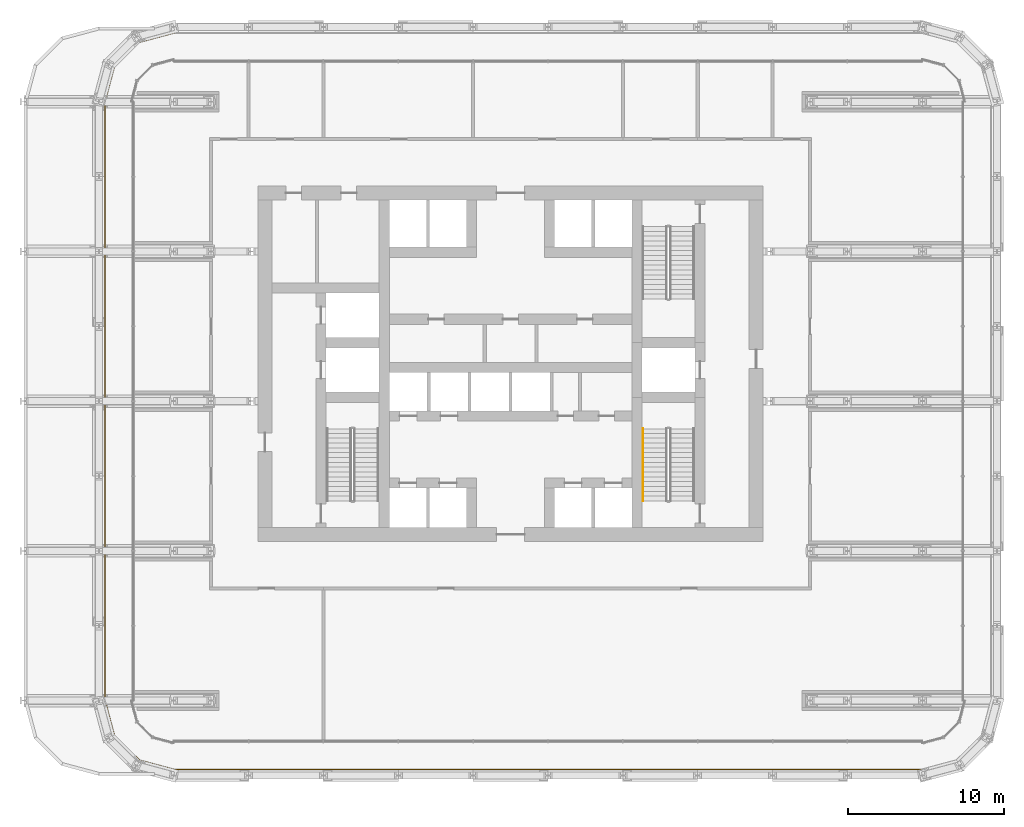
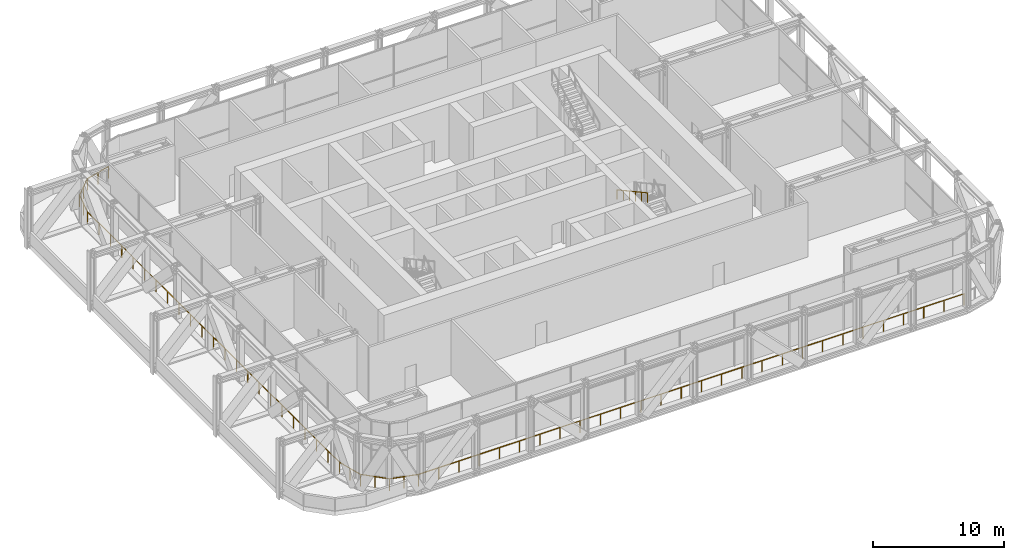
# One storey, part 25 of 30: 2 railings.
"""IFC4 building model written with IfcOpenShell, lengths in metres."""

from ifc_helpers import new_model, si_unit, direction, frame, origin, origin_2d, place, context, subcontext, project, spatial, circle, extrude, material, type_object, element, save


model = new_model("IFC4")

# Units and contexts
model_context = context("Model", 3, precision=1e-05, world=origin(), true_north=direction((0.0, 1.0)))
body_context = subcontext(model_context, "Body", "Model", "MODEL_VIEW")
ifc_project = project(units=[si_unit("LENGTHUNIT", "METRE"), si_unit("AREAUNIT", "SQUARE_METRE"), si_unit("VOLUMEUNIT", "CUBIC_METRE"), si_unit("PLANEANGLEUNIT", "RADIAN"), si_unit("MASSUNIT", "GRAM", prefix="KILO")], contexts=[model_context])

# Site, building, storey
site_placement = place(None, origin())
site = spatial("IfcSite", under=ifc_project, at=site_placement, CompositionType="ELEMENT")
building_placement = place(site_placement, origin())
building = spatial("IfcBuilding", under=site, at=building_placement, Name="Madar Terraces", CompositionType="ELEMENT")
storey_placement = place(building_placement, frame((0.0, 0.0, 53.89990234375)))
storey = spatial("IfcBuildingStorey", under=building, at=storey_placement, Name="L13", CompositionType="ELEMENT", Elevation=53.89990234375)

# Railings
ifc_material_1 = material(Name="Glass, safety glazing, with stainless steel posts", Category="steel")
railing_type_1 = type_object("IfcRailingType", Name="Balcony glass guard 1100", PredefinedType="GUARDRAIL", material=ifc_material_1)
railing_1_placement = place(storey_placement, frame((9.60009765625, 47.61376953125, 0.0)))
element("IfcRailing", 1, at=railing_1_placement, inside=storey, type_object=railing_type_1, Name="Gallery guard", PredefinedType="GUARDRAIL", context=body_context, shape_type="SweptSolid", body=[
    extrude(circle(Radius=0.02392578125, at=origin_2d()), frame((0.0, 0.0, 1.076171875), z_axis=(-0.96593278994, -0.258793055004, 0.0), x_axis=(0.258793055004, -0.96593278994, 0.0)), (0.0, 0.0, 1.0), 2.284912109375),
    extrude(circle(Radius=0.02392578125, at=origin_2d()), frame((-2.20703125, -0.59130859375, 1.076171875), z_axis=(-0.707106781187, -0.707106781187, 0.0), x_axis=(0.707106781187, -0.707106781187, 0.0)), (0.0, 0.0, 1.0), 2.28466796875),
    extrude(circle(Radius=0.02392578125, at=origin_2d()), frame((-3.822509765625, -2.206787109375, 1.076171875), z_axis=(-0.258793055004, -0.96593278994, 0.0), x_axis=(0.96593278994, -0.258793055004, 0.0)), (0.0, 0.0, 1.0), 2.284912109375),
    extrude(circle(Radius=0.02392578125, at=origin_2d()), frame((-4.413818359375, -4.413818359375, 1.076171875), z_axis=(0.0, -1.0, 0.0), x_axis=(1.0, 0.0, 0.0)), (0.0, 0.0, 1.0), 38.39990234375),
    extrude(circle(Radius=0.02392578125, at=origin_2d()), frame((-4.413818359375, -42.813720703125, 1.076171875), z_axis=(0.258793055004, -0.96593278994, 0.0), x_axis=(0.96593278994, 0.258793055004, 0.0)), (0.0, 0.0, 1.0), 2.284912109375),
    extrude(circle(Radius=0.02392578125, at=origin_2d()), frame((-3.822509765625, -45.020751953125, 1.076171875), z_axis=(0.707106781187, -0.707106781187, 0.0), x_axis=(0.707106781187, 0.707106781187, 0.0)), (0.0, 0.0, 1.0), 2.28466796875),
    extrude(circle(Radius=0.02392578125, at=origin_2d()), frame((-2.20703125, -46.63623046875, 1.076171875), z_axis=(0.96593278994, -0.258793055004, 0.0), x_axis=(0.258793055004, 0.96593278994, 0.0)), (0.0, 0.0, 1.0), 2.284912109375),
    extrude(circle(Radius=0.02392578125, at=origin_2d()), frame((0.0, -47.2275390625, 1.076171875), z_axis=(1.0, 0.0, 0.0), x_axis=(0.0, 1.0, 0.0)), (0.0, 0.0, 1.0), 48.0),
    extrude(circle(Radius=0.02099609375, at=origin_2d()), origin(), (0.0, 0.0, 1.0), 1.052001953125),
    extrude(circle(Radius=0.02099609375, at=origin_2d()), frame((-1.103515625, -0.295654296875, 0.0)), (0.0, 0.0, 1.0), 1.052001953125),
    extrude(circle(Radius=0.02099609375, at=origin_2d()), frame((-2.20703125, -0.59130859375, 0.0)), (0.0, 0.0, 1.0), 1.052001953125),
    extrude(circle(Radius=0.02099609375, at=origin_2d()), frame((-3.0146484375, -1.39892578125, 0.0)), (0.0, 0.0, 1.0), 1.052001953125),
    extrude(circle(Radius=0.02099609375, at=origin_2d()), frame((-3.822509765625, -2.206787109375, 0.0)), (0.0, 0.0, 1.0), 1.052001953125),
    extrude(circle(Radius=0.02099609375, at=origin_2d()), frame((-4.1181640625, -3.310302734375, 0.0)), (0.0, 0.0, 1.0), 1.052001953125),
    extrude(circle(Radius=0.02099609375, at=origin_2d()), frame((-4.413818359375, -4.413818359375, 0.0)), (0.0, 0.0, 1.0), 1.052001953125),
    extrude(circle(Radius=0.02099609375, at=origin_2d()), frame((-4.413818359375, -6.1591796875, 0.0)), (0.0, 0.0, 1.0), 1.052001953125),
    extrude(circle(Radius=0.02099609375, at=origin_2d()), frame((-4.413818359375, -7.90478515625, 0.0)), (0.0, 0.0, 1.0), 1.052001953125),
    extrude(circle(Radius=0.02099609375, at=origin_2d()), frame((-4.413818359375, -9.650146484375, 0.0)), (0.0, 0.0, 1.0), 1.052001953125),
    extrude(circle(Radius=0.02099609375, at=origin_2d()), frame((-4.413818359375, -11.3955078125, 0.0)), (0.0, 0.0, 1.0), 1.052001953125),
    extrude(circle(Radius=0.02099609375, at=origin_2d()), frame((-4.413818359375, -13.14111328125, 0.0)), (0.0, 0.0, 1.0), 1.052001953125),
    extrude(circle(Radius=0.02099609375, at=origin_2d()), frame((-4.413818359375, -14.886474609375, 0.0)), (0.0, 0.0, 1.0), 1.052001953125),
    extrude(circle(Radius=0.02099609375, at=origin_2d()), frame((-4.413818359375, -16.632080078125, 0.0)), (0.0, 0.0, 1.0), 1.052001953125),
    extrude(circle(Radius=0.02099609375, at=origin_2d()), frame((-4.413818359375, -18.37744140625, 0.0)), (0.0, 0.0, 1.0), 1.052001953125),
    extrude(circle(Radius=0.02099609375, at=origin_2d()), frame((-4.413818359375, -20.122802734375, 0.0)), (0.0, 0.0, 1.0), 1.052001953125),
    extrude(circle(Radius=0.02099609375, at=origin_2d()), frame((-4.413818359375, -21.868408203125, 0.0)), (0.0, 0.0, 1.0), 1.052001953125),
    extrude(circle(Radius=0.02099609375, at=origin_2d()), frame((-4.413818359375, -23.61376953125, 0.0)), (0.0, 0.0, 1.0), 1.052001953125),
    extrude(circle(Radius=0.02099609375, at=origin_2d()), frame((-4.413818359375, -25.359130859375, 0.0)), (0.0, 0.0, 1.0), 1.052001953125),
    extrude(circle(Radius=0.02099609375, at=origin_2d()), frame((-4.413818359375, -27.104736328125, 0.0)), (0.0, 0.0, 1.0), 1.052001953125),
    extrude(circle(Radius=0.02099609375, at=origin_2d()), frame((-4.413818359375, -28.85009765625, 0.0)), (0.0, 0.0, 1.0), 1.052001953125),
    extrude(circle(Radius=0.02099609375, at=origin_2d()), frame((-4.413818359375, -30.595458984375, 0.0)), (0.0, 0.0, 1.0), 1.052001953125),
    extrude(circle(Radius=0.02099609375, at=origin_2d()), frame((-4.413818359375, -32.341064453125, 0.0)), (0.0, 0.0, 1.0), 1.052001953125),
    extrude(circle(Radius=0.02099609375, at=origin_2d()), frame((-4.413818359375, -34.08642578125, 0.0)), (0.0, 0.0, 1.0), 1.052001953125),
    extrude(circle(Radius=0.02099609375, at=origin_2d()), frame((-4.413818359375, -35.83203125, 0.0)), (0.0, 0.0, 1.0), 1.052001953125),
    extrude(circle(Radius=0.02099609375, at=origin_2d()), frame((-4.413818359375, -37.577392578125, 0.0)), (0.0, 0.0, 1.0), 1.052001953125),
    extrude(circle(Radius=0.02099609375, at=origin_2d()), frame((-4.413818359375, -39.32275390625, 0.0)), (0.0, 0.0, 1.0), 1.052001953125),
    extrude(circle(Radius=0.02099609375, at=origin_2d()), frame((-4.413818359375, -41.068359375, 0.0)), (0.0, 0.0, 1.0), 1.052001953125),
    extrude(circle(Radius=0.02099609375, at=origin_2d()), frame((-4.413818359375, -42.813720703125, 0.0)), (0.0, 0.0, 1.0), 1.052001953125),
    extrude(circle(Radius=0.02099609375, at=origin_2d()), frame((-4.1181640625, -43.917236328125, 0.0)), (0.0, 0.0, 1.0), 1.052001953125),
    extrude(circle(Radius=0.02099609375, at=origin_2d()), frame((-3.822509765625, -45.020751953125, 0.0)), (0.0, 0.0, 1.0), 1.052001953125),
    extrude(circle(Radius=0.02099609375, at=origin_2d()), frame((-3.0146484375, -45.82861328125, 0.0)), (0.0, 0.0, 1.0), 1.052001953125),
    extrude(circle(Radius=0.02099609375, at=origin_2d()), frame((-2.20703125, -46.63623046875, 0.0)), (0.0, 0.0, 1.0), 1.052001953125),
    extrude(circle(Radius=0.02099609375, at=origin_2d()), frame((-1.103515625, -46.931884765625, 0.0)), (0.0, 0.0, 1.0), 1.052001953125),
    extrude(circle(Radius=0.02099609375, at=origin_2d()), frame((0.0, -47.2275390625, 0.0)), (0.0, 0.0, 1.0), 1.052001953125),
    extrude(circle(Radius=0.02099609375, at=origin_2d()), frame((1.77783203125, -47.2275390625, 0.0)), (0.0, 0.0, 1.0), 1.052001953125),
    extrude(circle(Radius=0.02099609375, at=origin_2d()), frame((3.5556640625, -47.2275390625, 0.0)), (0.0, 0.0, 1.0), 1.052001953125),
    extrude(circle(Radius=0.02099609375, at=origin_2d()), frame((5.333251953125, -47.2275390625, 0.0)), (0.0, 0.0, 1.0), 1.052001953125),
    extrude(circle(Radius=0.02099609375, at=origin_2d()), frame((7.111083984375, -47.2275390625, 0.0)), (0.0, 0.0, 1.0), 1.052001953125),
    extrude(circle(Radius=0.02099609375, at=origin_2d()), frame((8.888916015625, -47.2275390625, 0.0)), (0.0, 0.0, 1.0), 1.052001953125),
    extrude(circle(Radius=0.02099609375, at=origin_2d()), frame((10.666748046875, -47.2275390625, 0.0)), (0.0, 0.0, 1.0), 1.052001953125),
    extrude(circle(Radius=0.02099609375, at=origin_2d()), frame((12.4443359375, -47.2275390625, 0.0)), (0.0, 0.0, 1.0), 1.052001953125),
    extrude(circle(Radius=0.02099609375, at=origin_2d()), frame((14.22216796875, -47.2275390625, 0.0)), (0.0, 0.0, 1.0), 1.052001953125),
    extrude(circle(Radius=0.02099609375, at=origin_2d()), frame((16.0, -47.2275390625, 0.0)), (0.0, 0.0, 1.0), 1.052001953125),
    extrude(circle(Radius=0.02099609375, at=origin_2d()), frame((17.77783203125, -47.2275390625, 0.0)), (0.0, 0.0, 1.0), 1.052001953125),
    extrude(circle(Radius=0.02099609375, at=origin_2d()), frame((19.5556640625, -47.2275390625, 0.0)), (0.0, 0.0, 1.0), 1.052001953125),
    extrude(circle(Radius=0.02099609375, at=origin_2d()), frame((21.333251953125, -47.2275390625, 0.0)), (0.0, 0.0, 1.0), 1.052001953125),
    extrude(circle(Radius=0.02099609375, at=origin_2d()), frame((23.111083984375, -47.2275390625, 0.0)), (0.0, 0.0, 1.0), 1.052001953125),
    extrude(circle(Radius=0.02099609375, at=origin_2d()), frame((24.888916015625, -47.2275390625, 0.0)), (0.0, 0.0, 1.0), 1.052001953125),
    extrude(circle(Radius=0.02099609375, at=origin_2d()), frame((26.666748046875, -47.2275390625, 0.0)), (0.0, 0.0, 1.0), 1.052001953125),
    extrude(circle(Radius=0.02099609375, at=origin_2d()), frame((28.4443359375, -47.2275390625, 0.0)), (0.0, 0.0, 1.0), 1.052001953125),
    extrude(circle(Radius=0.02099609375, at=origin_2d()), frame((30.22216796875, -47.2275390625, 0.0)), (0.0, 0.0, 1.0), 1.052001953125),
    extrude(circle(Radius=0.02099609375, at=origin_2d()), frame((32.0, -47.2275390625, 0.0)), (0.0, 0.0, 1.0), 1.052001953125),
    extrude(circle(Radius=0.02099609375, at=origin_2d()), frame((33.77783203125, -47.2275390625, 0.0)), (0.0, 0.0, 1.0), 1.052001953125),
    extrude(circle(Radius=0.02099609375, at=origin_2d()), frame((35.5556640625, -47.2275390625, 0.0)), (0.0, 0.0, 1.0), 1.052001953125),
    extrude(circle(Radius=0.02099609375, at=origin_2d()), frame((37.333251953125, -47.2275390625, 0.0)), (0.0, 0.0, 1.0), 1.052001953125),
    extrude(circle(Radius=0.02099609375, at=origin_2d()), frame((39.111083984375, -47.2275390625, 0.0)), (0.0, 0.0, 1.0), 1.052001953125),
    extrude(circle(Radius=0.02099609375, at=origin_2d()), frame((40.888916015625, -47.2275390625, 0.0)), (0.0, 0.0, 1.0), 1.052001953125),
    extrude(circle(Radius=0.02099609375, at=origin_2d()), frame((42.666748046875, -47.2275390625, 0.0)), (0.0, 0.0, 1.0), 1.052001953125),
    extrude(circle(Radius=0.02099609375, at=origin_2d()), frame((44.4443359375, -47.2275390625, 0.0)), (0.0, 0.0, 1.0), 1.052001953125),
    extrude(circle(Radius=0.02099609375, at=origin_2d()), frame((46.22216796875, -47.2275390625, 0.0)), (0.0, 0.0, 1.0), 1.052001953125),
    extrude(circle(Radius=0.02099609375, at=origin_2d()), frame((48.0, -47.2275390625, 0.0)), (0.0, 0.0, 1.0), 1.052001953125),
])
ifc_material_2 = material(Name="Stainless steel railing", Category="steel")
railing_type_2 = type_object("IfcRailingType", Name="Stair handrail 900", PredefinedType="HANDRAIL", material=ifc_material_2)
railing_2_placement = place(storey_placement, frame((39.699951171875, 22.25, 2.868896484375)))
element("IfcRailing", 2, at=railing_2_placement, inside=storey, type_object=railing_type_2, Name="L13 ST3 stair handrail 2", PredefinedType="HANDRAIL", context=body_context, shape_type="SweptSolid", body=[
    extrude(circle(Radius=0.02392578125, at=origin_2d()), frame((0.0, 0.0, 0.8759765625), z_axis=(0.0, -0.878297076953, 0.478115304728), x_axis=(1.0, 0.0, 0.0)), (0.0, 0.0, 1.0), 5.294189453125),
    extrude(circle(Radius=0.02099609375, at=origin_2d()), origin(), (0.0, 0.0, 1.0), 0.851806640625),
    extrude(circle(Radius=0.02099609375, at=origin_2d()), frame((0.0, -0.929931640625, 0.50634765625)), (0.0, 0.0, 1.0), 0.851806640625),
    extrude(circle(Radius=0.02099609375, at=origin_2d()), frame((0.0, -1.85986328125, 1.012451171875)), (0.0, 0.0, 1.0), 0.851806640625),
    extrude(circle(Radius=0.02099609375, at=origin_2d()), frame((0.0, -2.7900390625, 1.518798828125)), (0.0, 0.0, 1.0), 0.851806640625),
    extrude(circle(Radius=0.02099609375, at=origin_2d()), frame((0.0, -3.719970703125, 2.02490234375)), (0.0, 0.0, 1.0), 0.851806640625),
    extrude(circle(Radius=0.02099609375, at=origin_2d()), frame((0.0, -4.64990234375, 2.53125)), (0.0, 0.0, 1.0), 0.851806640625),
])

save(model, "model.ifc")
